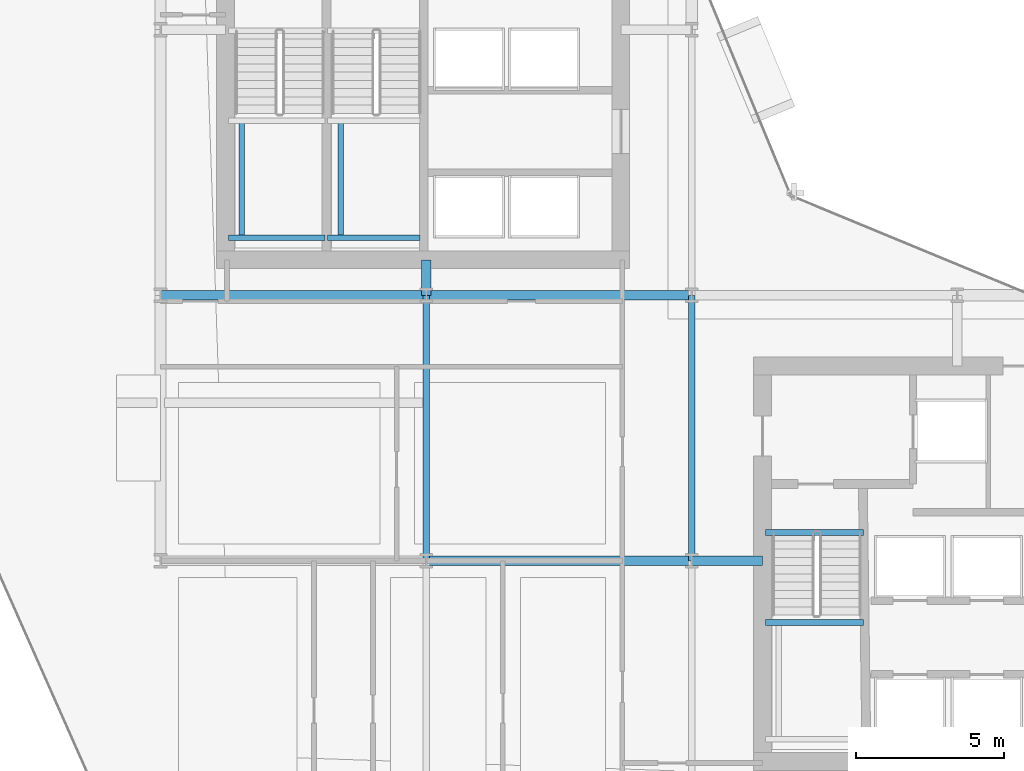
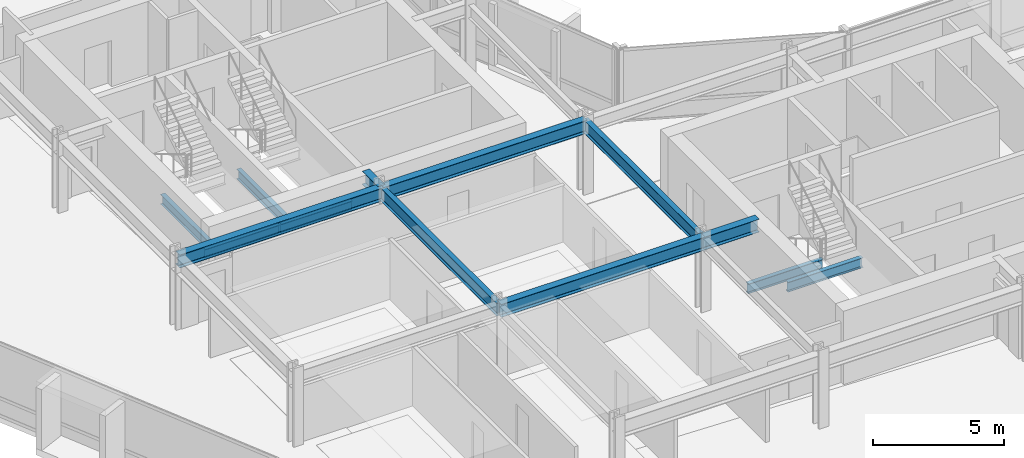
# One storey, part 7 of 34: 13 beams.
"""IFC4 building model written with IfcOpenShell, lengths in metres."""

from ifc_helpers import new_model, si_unit, direction, frame, origin, origin_2d, place, context, subcontext, project, spatial, i_section, extrude, material, material_profile, profile_set, type_object, element, save


model = new_model("IFC4")

# Units and contexts
model_context = context("Model", 3, precision=1e-05, world=origin(), true_north=direction((0.0, 1.0)))
body_context = subcontext(model_context, "Body", "Model", "MODEL_VIEW")
ifc_project = project(units=[si_unit("LENGTHUNIT", "METRE"), si_unit("AREAUNIT", "SQUARE_METRE"), si_unit("VOLUMEUNIT", "CUBIC_METRE"), si_unit("PLANEANGLEUNIT", "RADIAN"), si_unit("MASSUNIT", "GRAM", prefix="KILO")], contexts=[model_context])

# Site, building, storey
site_placement = place(None, origin())
site = spatial("IfcSite", under=ifc_project, at=site_placement, CompositionType="ELEMENT")
building_placement = place(site_placement, origin())
building = spatial("IfcBuilding", under=site, at=building_placement, Name="Solvaryn Broadcast Tower", CompositionType="ELEMENT")
storey_placement = place(building_placement, frame((0.0, 0.0, 50.800048828125)))
storey = spatial("IfcBuildingStorey", under=building, at=storey_placement, Name="L11", CompositionType="ELEMENT", Elevation=50.800048828125)

# Beams
ifc_material_1 = material(Name="Steel ASTM A992 Grade 50", Category="steel")
ifc_material_profile_1 = material_profile(ifc_material_1, i_section(OverallWidth=0.323974609375, OverallDepth=0.611083984375, WebThickness=0.0126953125, FlangeThickness=0.01904296875, FilletRadius=0.014892578125, at=origin_2d()))
ifc_profile_set_1 = profile_set([ifc_material_profile_1], Name="Steel ASTM A992 Grade 50")
beam_type_1 = type_object("IfcBeamType", Name="BM-B1-W24X104", PredefinedType="BEAM", material=ifc_profile_set_1)
for number, where, z_axis, x_axis, name in (
    (1, (18.0, 18.0, 3.114501953125), (1.0, 0.0, 0.0), (0.0, 1.0, 0.0), "L11 Primary Beam X (18-27 @ Y=18)"),
    (2, (9.0, 27.0, 3.114501953125), (1.0, 0.0, 0.0), (0.0, 1.0, 0.0), "L11 Primary Beam X (9-18 @ Y=27)"),
    (3, (18.0, 27.0, 3.114501953125), (1.0, 0.0, 0.0), (0.0, 1.0, 0.0), "L11 Primary Beam X (18-27 @ Y=27)"),
):
    element("IfcBeam", number, at=place(storey_placement, frame(where, z_axis=z_axis, x_axis=x_axis)), inside=storey, type_object=beam_type_1, Name=name, PredefinedType="BEAM", context=body_context, shape_type="SweptSolid", body=[
        extrude(i_section(OverallWidth=0.323974609375, OverallDepth=0.611083984375, WebThickness=0.0126953125, FlangeThickness=0.01904296875, FilletRadius=0.014892578125, at=origin_2d()), origin(), (0.0, 0.0, 1.0), 9.0),
    ])
beam_1_placement = place(storey_placement, frame((18.0, 27.0, 3.114501953125), z_axis=(0.0, 1.0, 0.0), x_axis=(-1.0, 0.0, 0.0)))
element("IfcBeam", 4, at=beam_1_placement, inside=storey, type_object=beam_type_1, Name="L11 Core Tie Beam CTW4", PredefinedType="BEAM", context=body_context, shape_type="SweptSolid", body=[
    extrude(i_section(OverallWidth=0.323974609375, OverallDepth=0.611083984375, WebThickness=0.0126953125, FlangeThickness=0.01904296875, FilletRadius=0.014892578125, at=origin_2d()), origin(), (0.0, 0.0, 1.0), 1.199951171875),
])
beam_2_placement = place(storey_placement, frame((27.0, 18.0, 3.114501953125), z_axis=(1.0, 0.0, 0.0), x_axis=(0.0, 1.0, 0.0)))
element("IfcBeam", 5, at=beam_2_placement, inside=storey, type_object=beam_type_1, Name="L11 Core Tie Beam CTE4", PredefinedType="BEAM", context=body_context, shape_type="SweptSolid", body=[
    extrude(i_section(OverallWidth=0.323974609375, OverallDepth=0.611083984375, WebThickness=0.0126953125, FlangeThickness=0.01904296875, FilletRadius=0.014892578125, at=origin_2d()), origin(), (0.0, 0.0, 1.0), 2.39990234375),
])
ifc_material_2 = material(Name="Steel ASTM A992 Grade 50", Category="steel")
ifc_material_profile_2 = material_profile(ifc_material_2, i_section(OverallWidth=0.22802734375, OverallDepth=0.60791015625, WebThickness=0.01123046875, FlangeThickness=0.017333984375, FilletRadius=0.014892578125, at=origin_2d()))
ifc_profile_set_2 = profile_set([ifc_material_profile_2], Name="Steel ASTM A992 Grade 50")
beam_type_2 = type_object("IfcBeamType", Name="BM-B2-W24X76", PredefinedType="BEAM", material=ifc_profile_set_2)
for number, where, z_axis, x_axis, name in (
    (6, (18.0, 18.0, 3.115966796875), (0.0, 1.0, 0.0), (-1.0, 0.0, 0.0), "L11 Primary Beam Y (18-27 @ X=18)"),
    (7, (27.0, 18.0, 3.115966796875), (0.0, 1.0, 0.0), (-1.0, 0.0, 0.0), "L11 Primary Beam Y (18-27 @ X=27)"),
):
    element("IfcBeam", number, at=place(storey_placement, frame(where, z_axis=z_axis, x_axis=x_axis)), inside=storey, type_object=beam_type_2, Name=name, PredefinedType="BEAM", context=body_context, shape_type="SweptSolid", body=[
        extrude(i_section(OverallWidth=0.22802734375, OverallDepth=0.60791015625, WebThickness=0.01123046875, FlangeThickness=0.017333984375, FilletRadius=0.014892578125, at=origin_2d()), origin(), (0.0, 0.0, 1.0), 9.0),
    ])
ifc_material_3 = material(Name="Steel ASTM A992 Grade 50", Category="steel")
ifc_material_profile_3 = material_profile(ifc_material_3, i_section(OverallWidth=0.18994140625, OverallDepth=0.45703125, WebThickness=0.009033203125, FlangeThickness=0.014404296875, FilletRadius=0.011962890625, at=origin_2d()))
ifc_profile_set_3 = profile_set([ifc_material_profile_3], Name="Steel ASTM A992 Grade 50")
beam_type_3 = type_object("IfcBeamType", Name="BM-B4-W18X50", PredefinedType="BEAM", material=ifc_profile_set_3)
beam_3_placement = place(storey_placement, frame((11.300048828125, 28.949951171875, 1.42138671875), z_axis=(1.0, 0.0, 0.0), x_axis=(0.0, 1.0, 0.0)))
element("IfcBeam", 8, at=beam_3_placement, inside=storey, type_object=beam_type_3, Name="L11 ST1 Landing Support Beam 1A", PredefinedType="BEAM", context=body_context, shape_type="SweptSolid", body=[
    extrude(i_section(OverallWidth=0.18994140625, OverallDepth=0.45703125, WebThickness=0.009033203125, FlangeThickness=0.014404296875, FilletRadius=0.011962890625, at=origin_2d()), origin(), (0.0, 0.0, 1.0), 3.280029296875),
])
beam_4_placement = place(storey_placement, frame((11.75, 28.949951171875, 1.42138671875), z_axis=(0.0, 1.0, 0.0), x_axis=(-1.0, 0.0, 0.0)))
element("IfcBeam", 9, at=beam_4_placement, inside=storey, type_object=beam_type_3, Name="L11 ST1 Landing Cross Stringer 1C", PredefinedType="BEAM", context=body_context, shape_type="SweptSolid", body=[
    extrude(i_section(OverallWidth=0.18994140625, OverallDepth=0.45703125, WebThickness=0.009033203125, FlangeThickness=0.014404296875, FilletRadius=0.011962890625, at=origin_2d()), origin(), (0.0, 0.0, 1.0), 3.9599609375),
])
beam_5_placement = place(storey_placement, frame((14.659912109375, 28.949951171875, 1.42138671875), z_axis=(1.0, 0.0, 0.0), x_axis=(0.0, 1.0, 0.0)))
element("IfcBeam", 10, at=beam_5_placement, inside=storey, type_object=beam_type_3, Name="L11 ST2 Landing Support Beam 1A", PredefinedType="BEAM", context=body_context, shape_type="SweptSolid", body=[
    extrude(i_section(OverallWidth=0.18994140625, OverallDepth=0.45703125, WebThickness=0.009033203125, FlangeThickness=0.014404296875, FilletRadius=0.011962890625, at=origin_2d()), origin(), (0.0, 0.0, 1.0), 3.14013671875),
])
beam_6_placement = place(storey_placement, frame((15.110107421875, 28.949951171875, 1.42138671875), z_axis=(0.0, 1.0, 0.0), x_axis=(-1.0, 0.0, 0.0)))
element("IfcBeam", 11, at=beam_6_placement, inside=storey, type_object=beam_type_3, Name="L11 ST2 Landing Cross Stringer 1C", PredefinedType="BEAM", context=body_context, shape_type="SweptSolid", body=[
    extrude(i_section(OverallWidth=0.18994140625, OverallDepth=0.45703125, WebThickness=0.009033203125, FlangeThickness=0.014404296875, FilletRadius=0.011962890625, at=origin_2d()), origin(), (0.0, 0.0, 1.0), 3.9599609375),
])
for number, where, z_axis, x_axis, name in (
    (12, (29.5, 18.9599609375, -0.508544921875), (1.0, 0.0, 0.0), (0.0, 1.0, 0.0), "L11 ST3 Stair Well Trimmer Beam"),
    (13, (29.5, 15.909912109375, 1.42138671875), (1.0, 0.0, 0.0), (0.0, 1.0, 0.0), "L11 ST3 Landing Support Beam 1B"),
):
    element("IfcBeam", number, at=place(storey_placement, frame(where, z_axis=z_axis, x_axis=x_axis)), inside=storey, type_object=beam_type_3, Name=name, PredefinedType="BEAM", context=body_context, shape_type="SweptSolid", body=[
        extrude(i_section(OverallWidth=0.18994140625, OverallDepth=0.45703125, WebThickness=0.009033203125, FlangeThickness=0.014404296875, FilletRadius=0.011962890625, at=origin_2d()), origin(), (0.0, 0.0, 1.0), 3.320068359375),
    ])

save(model, "model.ifc")
